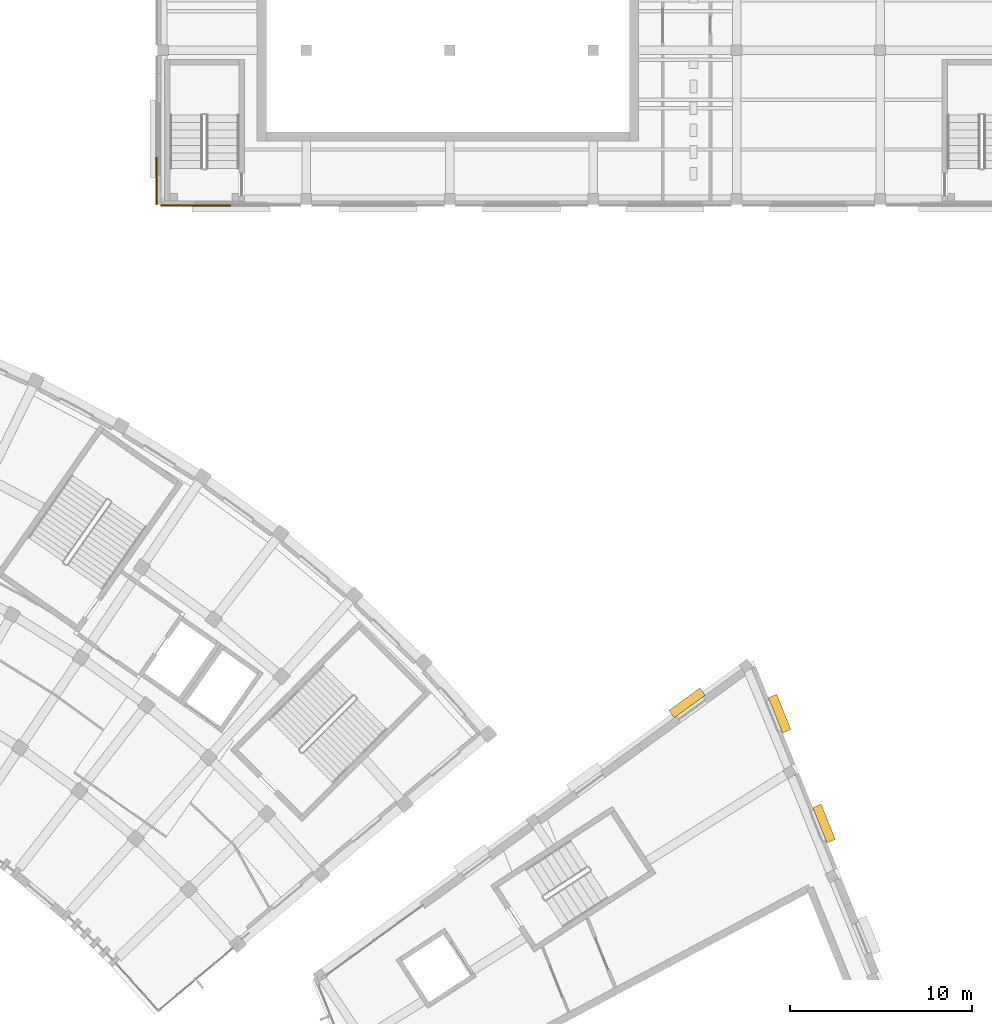
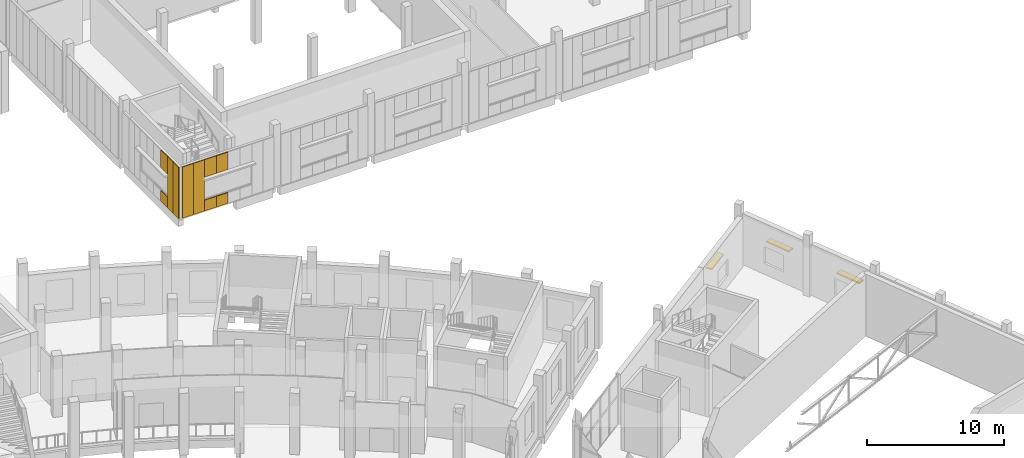
# One storey, part 105 of 112: 10 coverings, 3 shading devices.
"""IFC4 building model written with IfcOpenShell, lengths in metres."""

import ifcopenshell
import ifcopenshell.guid

model = None  # the IFC model being written
_history = None  # IfcOwnerHistory: only IFC2X3 demands one
_inside = {}  # id of a spatial element -> (the spatial element, [elements in it])
_under = {}  # id of a project, library or spatial element -> (it, [spatial elements below it])
_declared = {}  # id of a project -> (the project, [libraries it declares])
_typed = {}  # id of a type object -> (the type object, [elements of that type])
_made_of = {}  # id of a material, layer set ... -> (it, [elements and type objects made of it])


def new_model(schema):
    """Start an empty IFC model of exactly this schema.

    Asked for "IFC4X3", IfcOpenShell would pick the latest addendum, in which some entities
    have other attributes; the version numbers below select the first issue.
    IFC2X3 requires an IfcOwnerHistory on every rooted entity: one is made here for all.
    """
    global model, _history
    if schema == "IFC4X3":
        model = ifcopenshell.file(schema_version=(4, 3, 0, 0))
    else:
        model = ifcopenshell.file(schema=schema)
    _inside.clear()
    _under.clear()
    _declared.clear()
    _typed.clear()
    _made_of.clear()
    _history = None
    if model.schema == "IFC2X3":
        org = make("IfcOrganization", Name="unknown")
        user = make(
            "IfcPersonAndOrganization",
            ThePerson=make("IfcPerson", FamilyName="unknown"),
            TheOrganization=org,
        )
        app = make(
            "IfcApplication",
            ApplicationDeveloper=org,
            Version="unknown",
            ApplicationFullName="unknown",
            ApplicationIdentifier="unknown",
        )
        _history = make(
            "IfcOwnerHistory",
            OwningUser=user,
            OwningApplication=app,
            ChangeAction="ADDED",
            CreationDate=0,
        )
    return model


def make(cls, **values):
    """One entity of the class cls with the attributes given. An attribute that is None is left unset."""
    return model.create_entity(
        cls, **{name: value for name, value in values.items() if value is not None}
    )


def rooted(cls, **values):
    """An entity with a GlobalId (a new one), such as an element, a storey or a relation."""
    return make(cls, GlobalId=ifcopenshell.guid.new(), OwnerHistory=_history, **values)


def si_unit(unit_type, name, prefix=None):
    """IfcSIUnit, for example si_unit("LENGTHUNIT", "METRE", prefix="MILLI")."""
    return make("IfcSIUnit", UnitType=unit_type, Prefix=prefix, Name=name)


def assignment(units):
    """IfcUnitAssignment: the units of a project."""
    return None if units is None else make("IfcUnitAssignment", Units=units)


def point(xyz):
    """IfcCartesianPoint."""
    return None if xyz is None else make("IfcCartesianPoint", Coordinates=xyz)


def direction(xyz):
    """IfcDirection."""
    return None if xyz is None else make("IfcDirection", DirectionRatios=xyz)


def frame(location, z_axis=None, x_axis=None):
    """IfcAxis2Placement3D, a coordinate frame: its origin and axes. An axis left out is left unset."""
    return make(
        "IfcAxis2Placement3D",
        Location=point(location),
        Axis=direction(z_axis),
        RefDirection=direction(x_axis),
    )


def frame_2d(location, x_axis=None):
    """IfcAxis2Placement2D, a coordinate frame in the plane: its origin and x axis."""
    return make(
        "IfcAxis2Placement2D", Location=point(location), RefDirection=direction(x_axis)
    )


def origin():
    """The frame at (0, 0, 0) with its axes left unset."""
    return frame((0.0, 0.0, 0.0))


def origin_2d():
    """The frame at (0, 0) in the plane with its x axis left unset."""
    return frame_2d((0.0, 0.0))


def place(relative_to, where):
    """IfcLocalPlacement: puts the frame where relative to a parent placement (None: the world)."""
    return make(
        "IfcLocalPlacement", PlacementRelTo=relative_to, RelativePlacement=where
    )


def context(
    kind, dimensions, precision=None, world=None, true_north=None, identifier=None
):
    """IfcGeometricRepresentationContext, for example the 3D "Model" context."""
    return make(
        "IfcGeometricRepresentationContext",
        ContextIdentifier=identifier,
        ContextType=kind,
        CoordinateSpaceDimension=dimensions,
        Precision=precision,
        WorldCoordinateSystem=world,
        TrueNorth=true_north,
    )


def subcontext(parent, identifier, kind, view, scale=None):
    """IfcGeometricRepresentationSubContext, for example "Body" below "Model"."""
    return make(
        "IfcGeometricRepresentationSubContext",
        ContextIdentifier=identifier,
        ContextType=kind,
        ParentContext=parent,
        TargetScale=scale,
        TargetView=view,
    )


def project(units=None, contexts=None):
    """IfcProject with its units and contexts."""
    return rooted(
        "IfcProject",
        Name="project",
        RepresentationContexts=contexts,
        UnitsInContext=assignment(units),
    )


def spatial(cls, under=None, at=None, **own):
    """A site, building, storey or space (cls), placed at a placement, below another one or the project."""
    s = rooted(cls, ObjectPlacement=at, **own)
    if under is not None:
        _under.setdefault(under.id(), (under, []))[1].append(s)
    return s


def profile(cls, at=None, kind="AREA", **sizes):
    """A parametric profile (cls). Its sizes go by their IFC names, for example OverallWidth=200.0."""
    return make(cls, ProfileType=kind, Position=at, **sizes)


def rectangle(**sizes):
    """IfcRectangleProfileDef."""
    return profile("IfcRectangleProfileDef", **sizes)


def extrude(swept, where, along, depth):
    """IfcExtrudedAreaSolid: the profile swept, set in the frame where, extruded along a direction by depth."""
    return make(
        "IfcExtrudedAreaSolid",
        SweptArea=swept,
        Position=where,
        ExtrudedDirection=direction(along),
        Depth=depth,
    )


def shape(context_of_items, identifier, shape_type, items):
    """IfcShapeRepresentation: the items that make up one representation, for example the "Body"."""
    return make(
        "IfcShapeRepresentation",
        ContextOfItems=context_of_items,
        RepresentationIdentifier=identifier,
        RepresentationType=shape_type,
        Items=items,
    )


def material(Name=None, Category=None):
    """IfcMaterial."""
    return make("IfcMaterial", Name=Name, Category=Category)


def layer(
    of_material, thickness, ventilated=None, Name=None, Category=None, Priority=None
):
    """IfcMaterialLayer: one layer of a wall or slab, of a material (None: an air gap)."""
    return make(
        "IfcMaterialLayer",
        Material=of_material,
        LayerThickness=thickness,
        IsVentilated=ventilated,
        Name=Name,
        Category=Category,
        Priority=Priority,
    )


def layer_set(layers, Name=None):
    """IfcMaterialLayerSet."""
    return make("IfcMaterialLayerSet", MaterialLayers=layers, LayerSetName=Name)


def made_of(thing, what):
    """Note that an element or type object is made of a material, layer set ...; save() writes the relation."""
    if what is not None:
        _made_of.setdefault(what.id(), (what, []))[1].append(thing)
    return thing


def type_object(cls, material=None, **own):
    """A type object (cls), such as IfcWallType, which elements share."""
    return made_of(rooted(cls, **own), material)


def element(
    cls,
    number,
    at=None,
    inside=None,
    cuts=None,
    type_object=None,
    material=None,
    context=None,
    identifier="Body",
    shape_type=None,
    held_by="IfcProductDefinitionShape",
    body=None,
    shapes=None,
    **own,
):
    """One element of the class cls, such as IfcWall. Its Tag is "e" and its number.

    at: its placement. inside: the storey or other place that contains it. cuts: it is an
    opening in that element (IfcRelVoidsElement). A single representation is given by context,
    identifier, shape_type and body (its items); several are given by shapes. held_by: the class
    of the entity that holds the representations. save() writes the other relations.
    """
    e = rooted(cls, Tag="e%d" % number, ObjectPlacement=at, **own)
    if body is not None:
        shapes = [shape(context, identifier, shape_type, body)]
    if shapes is not None:
        e.Representation = make(held_by, Representations=shapes)
    if inside is not None:
        _inside.setdefault(inside.id(), (inside, []))[1].append(e)
    if cuts is not None:
        rooted(
            "IfcRelVoidsElement", RelatingBuildingElement=cuts, RelatedOpeningElement=e
        )
    if type_object is not None:
        _typed.setdefault(type_object.id(), (type_object, []))[1].append(e)
    return made_of(e, material)


def aggregate(whole, parts):
    """IfcRelAggregates: a whole, such as a stair, and the parts it consists of."""
    return rooted("IfcRelAggregates", RelatingObject=whole, RelatedObjects=parts)


def save(model, path):
    """Write the relations noted so far, then the file.

    IfcRelAggregates (storeys below a building ...), IfcRelContainedInSpatialStructure (elements
    in a storey), IfcRelDefinesByType, IfcRelAssociatesMaterial and IfcRelDeclares: one each for
    every whole, place, type object, material and project.
    """
    for whole, parts in _under.values():
        aggregate(whole, parts)
    for where, things in _inside.values():
        rooted(
            "IfcRelContainedInSpatialStructure",
            RelatedElements=things,
            RelatingStructure=where,
        )
    for kind, things in _typed.values():
        rooted("IfcRelDefinesByType", RelatedObjects=things, RelatingType=kind)
    for what, things in _made_of.values():
        rooted("IfcRelAssociatesMaterial", RelatedObjects=things, RelatingMaterial=what)
    for by, libraries in _declared.values():
        rooted("IfcRelDeclares", RelatingContext=by, RelatedDefinitions=libraries)
    model.write(path)


model = new_model("IFC4")

# Units and contexts
model_context = context("Model", 3, precision=1e-05, world=origin(), true_north=direction((0.0, 1.0)))
body_context = subcontext(model_context, "Body", "Model", "MODEL_VIEW")
ifc_project = project(units=[si_unit("LENGTHUNIT", "METRE"), si_unit("AREAUNIT", "SQUARE_METRE"), si_unit("VOLUMEUNIT", "CUBIC_METRE"), si_unit("PLANEANGLEUNIT", "RADIAN"), si_unit("MASSUNIT", "GRAM", prefix="KILO")], contexts=[model_context])

# Site, building, storey
site_placement = place(None, origin())
site = spatial("IfcSite", under=ifc_project, at=site_placement, CompositionType="ELEMENT")
building_placement = place(site_placement, origin())
building = spatial("IfcBuilding", under=site, at=building_placement, Name="Lunette Opera House", CompositionType="ELEMENT")
storey_placement = place(building_placement, frame((0.0, 0.0, 6.0)))
storey = spatial("IfcBuildingStorey", under=building, at=storey_placement, Name="L01", CompositionType="ELEMENT", Elevation=6.0)

# Coverings
ifc_material_1 = material(Name="Dark grey aluminium cassette", Category="aluminium")
ifc_layer_1 = layer(ifc_material_1, 0.080078125)
ifc_layer_set_1 = layer_set([ifc_layer_1], Name="Dark grey aluminium cassette")
covering_type = type_object("IfcCoveringType", Name="DARK METAL CASSETTE 80", PredefinedType="CLADDING", material=ifc_layer_set_1)
covering_1_placement = place(storey_placement, frame((135.9599609375, 80.113037109375, 0.0), z_axis=(0.0, 0.0, 1.0), x_axis=(0.0, -1.0, 0.0)))
element("IfcCovering", 1, at=covering_1_placement, inside=storey, type_object=covering_type, Name="Dark Metal Cassette 80 WK L01", PredefinedType="CLADDING", context=body_context, shape_type="SweptSolid", body=[
    extrude(rectangle(XDim=1.0, YDim=0.080078125, at=origin_2d()), origin(), (0.0, 0.0, 1.0), 0.949951171875),
])
covering_2_placement = place(storey_placement, frame((135.9599609375, 80.113037109375, 3.0), z_axis=(0.0, 0.0, 1.0), x_axis=(0.0, -1.0, 0.0)))
element("IfcCovering", 2, at=covering_2_placement, inside=storey, type_object=covering_type, Name="Dark Metal Cassette 80 WK L01", PredefinedType="CLADDING", context=body_context, shape_type="SweptSolid", body=[
    extrude(rectangle(XDim=1.0, YDim=0.080078125, at=origin_2d()), origin(), (0.0, 0.0, 1.0), 1.550048828125),
])
for number, where, z_axis, x_axis, name in (
    (3, (135.9599609375, 79.2099609375, 0.0), (0.0, 0.0, 1.0), (0.0, -1.0, 0.0), "Dark Metal Cassette 80 WK L01"),
    (4, (135.9599609375, 78.403076171875, 0.0), (0.0, 0.0, 1.0), (0.0, -1.0, 0.0), "Dark Metal Cassette 80 WK L01"),
):
    element("IfcCovering", number, at=place(storey_placement, frame(where, z_axis=z_axis, x_axis=x_axis)), inside=storey, type_object=covering_type, Name=name, PredefinedType="CLADDING", context=body_context, shape_type="SweptSolid", body=[
        extrude(rectangle(XDim=0.805908203125, YDim=0.080078125, at=origin_2d()), origin(), (0.0, 0.0, 1.0), 4.550048828125),
    ])
for number, where, z_axis, x_axis, name in (
    (5, (136.662109375, 77.9599609375, 0.0), (0.0, 0.0, 1.0), (1.0, 0.0, 0.0), "Dark Metal Cassette 80 WK L01"),
    (6, (137.5869140625, 77.9599609375, 0.0), (0.0, 0.0, 1.0), (1.0, 0.0, 0.0), "Dark Metal Cassette 80 WK L01"),
):
    element("IfcCovering", number, at=place(storey_placement, frame(where, z_axis=z_axis, x_axis=x_axis)), inside=storey, type_object=covering_type, Name=name, PredefinedType="CLADDING", context=body_context, shape_type="SweptSolid", body=[
        extrude(rectangle(XDim=0.925048828125, YDim=0.080078125, at=origin_2d()), origin(), (0.0, 0.0, 1.0), 4.550048828125),
    ])
covering_3_placement = place(storey_placement, frame((138.550048828125, 77.9599609375, 0.0), z_axis=(0.0, 0.0, 1.0), x_axis=(1.0, 0.0, 0.0)))
element("IfcCovering", 7, at=covering_3_placement, inside=storey, type_object=covering_type, Name="Dark Metal Cassette 80 WK L01", PredefinedType="CLADDING", context=body_context, shape_type="SweptSolid", body=[
    extrude(rectangle(XDim=1.0, YDim=0.080078125, at=origin_2d()), origin(), (0.0, 0.0, 1.0), 0.949951171875),
])
covering_4_placement = place(storey_placement, frame((138.550048828125, 77.9599609375, 3.0), z_axis=(0.0, 0.0, 1.0), x_axis=(1.0, 0.0, 0.0)))
element("IfcCovering", 8, at=covering_4_placement, inside=storey, type_object=covering_type, Name="Dark Metal Cassette 80 WK L01", PredefinedType="CLADDING", context=body_context, shape_type="SweptSolid", body=[
    extrude(rectangle(XDim=1.0, YDim=0.080078125, at=origin_2d()), origin(), (0.0, 0.0, 1.0), 1.550048828125),
])
covering_5_placement = place(storey_placement, frame((139.550048828125, 77.9599609375, 0.0), z_axis=(0.0, 0.0, 1.0), x_axis=(1.0, 0.0, 0.0)))
element("IfcCovering", 9, at=covering_5_placement, inside=storey, type_object=covering_type, Name="Dark Metal Cassette 80 WK L01", PredefinedType="CLADDING", context=body_context, shape_type="SweptSolid", body=[
    extrude(rectangle(XDim=1.0, YDim=0.080078125, at=origin_2d()), origin(), (0.0, 0.0, 1.0), 0.949951171875),
])
covering_6_placement = place(storey_placement, frame((139.550048828125, 77.9599609375, 3.0), z_axis=(0.0, 0.0, 1.0), x_axis=(1.0, 0.0, 0.0)))
element("IfcCovering", 10, at=covering_6_placement, inside=storey, type_object=covering_type, Name="Dark Metal Cassette 80 WK L01", PredefinedType="CLADDING", context=body_context, shape_type="SweptSolid", body=[
    extrude(rectangle(XDim=1.0, YDim=0.080078125, at=origin_2d()), origin(), (0.0, 0.0, 1.0), 1.550048828125),
])

# Shading devices
ifc_material_2 = material(Name="Powder-coated aluminium", Category="aluminium")
ifc_layer_2 = layer(ifc_material_2, 0.1201171875)
ifc_layer_set_2 = layer_set([ifc_layer_2], Name="Powder-coated aluminium")
shading_device_type = type_object("IfcShadingDeviceType", Name="WINDOW HOOD 500 X 2100", PredefinedType="USERDEFINED", material=ifc_layer_set_2)
for number, where, z_axis, x_axis, name in (
    (11, (165.1669921875, 50.56201171875, 2.579833984375), (0.0, 0.0, 1.0), (-0.587752775795, 0.809040588935, 0.0), "Window hood SB-N2001"),
    (12, (172.708984375, 43.923095703125, 2.579833984375), (0.0, 0.0, 1.0), (0.927157699833, 0.374671322147, 0.0), "Window hood SB-N2011"),
    (13, (170.26611328125, 49.969970703125, 2.579833984375), (0.0, 0.0, 1.0), (0.927181893119, 0.374611448134, 0.0), "Window hood SB-N2012"),
):
    element("IfcShadingDevice", number, at=place(storey_placement, frame(where, z_axis=z_axis, x_axis=x_axis)), inside=storey, type_object=shading_device_type, Name=name, ObjectType="WINDOW HOOD", PredefinedType="USERDEFINED", context=body_context, shape_type="SweptSolid", body=[
        extrude(rectangle(XDim=0.5, YDim=2.10009765625, at=origin_2d()), origin(), (0.0, 0.0, 1.0), 0.1201171875),
    ])

save(model, "model.ifc")
